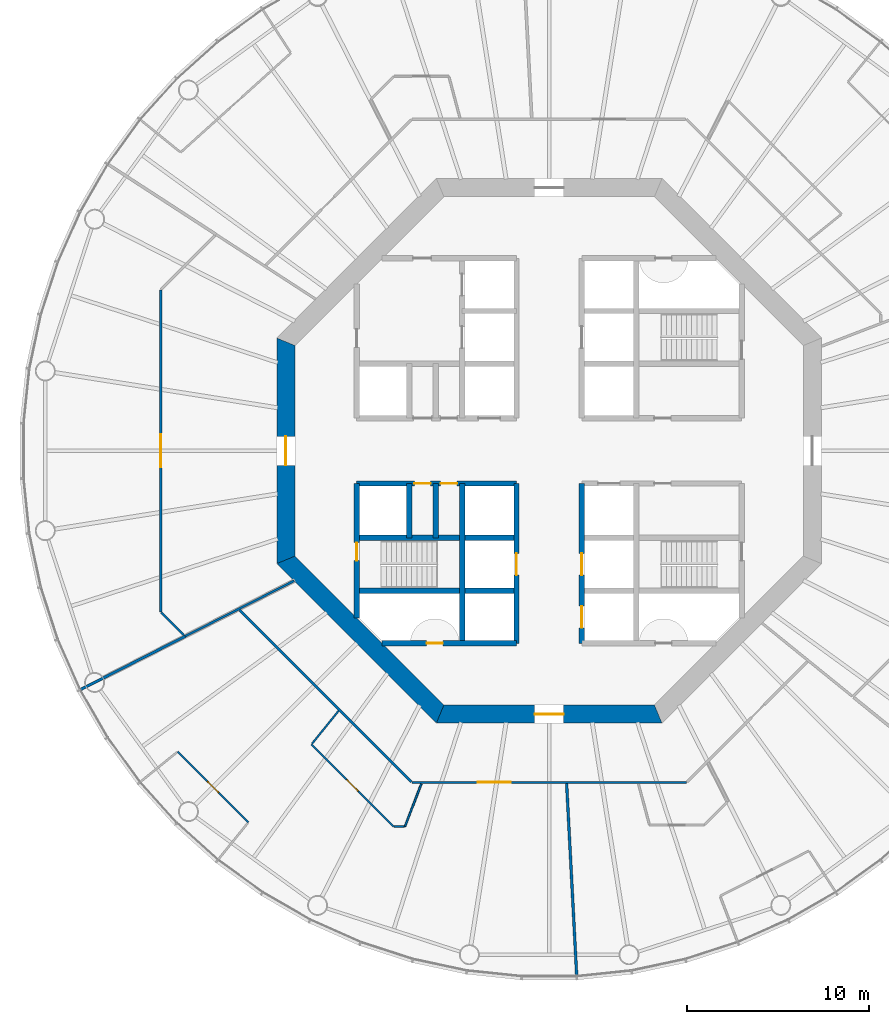
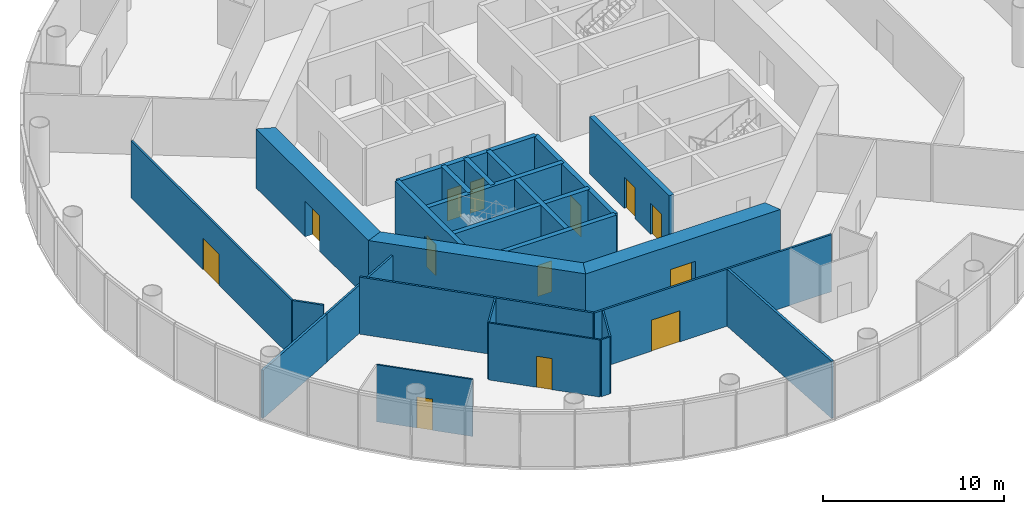
# One storey, part 3 of 13: 25 walls, 13 doors, 13 openings.
"""IFC4 building model written with IfcOpenShell, lengths in metres."""

from ifc_helpers import new_model, si_unit, direction, frame, frame_2d, origin, place, context, subcontext, project, spatial, polyline, rectangle, outline, extrude, material, layer, layer_set, type_object, element, fill, save


model = new_model("IFC4")

# Units and contexts
model_context = context("Model", 3, precision=1e-05, world=origin(), true_north=direction((0.0, 1.0)))
body_context = subcontext(model_context, "Body", "Model", "MODEL_VIEW")
ifc_project = project(units=[si_unit("LENGTHUNIT", "METRE"), si_unit("AREAUNIT", "SQUARE_METRE"), si_unit("VOLUMEUNIT", "CUBIC_METRE"), si_unit("PLANEANGLEUNIT", "RADIAN"), si_unit("MASSUNIT", "GRAM", prefix="KILO")], contexts=[model_context])

# Site, building, storey
site_placement = place(None, origin())
site = spatial("IfcSite", under=ifc_project, at=site_placement, CompositionType="ELEMENT")
building_placement = place(site_placement, origin())
building = spatial("IfcBuilding", under=site, at=building_placement, Name="Entoto Ring Tower", CompositionType="ELEMENT")
storey_placement = place(building_placement, frame((0.0, 0.0, 184.0)))
storey = spatial("IfcBuildingStorey", under=building, at=storey_placement, Name="L42", CompositionType="ELEMENT", Elevation=184.0)

# Wall, openings, doors
ifc_material_1 = material(Name="Concrete C40/50", Category="concrete")
ifc_layer_1 = layer(ifc_material_1, 0.300048828125)
ifc_layer_set_1 = layer_set([ifc_layer_1], Name="Concrete C40/50")
wall_type_1 = type_object("IfcWallType", Name="Core enclosure wall 300 mm reinforced concrete", PredefinedType="SOLIDWALL", material=ifc_layer_set_1)
wall_1_placement = place(storey_placement, frame((91.800048828125, 69.39990234375, 0.0), z_axis=(0.0, 0.0, 1.0), x_axis=(0.0, 1.0, 0.0)))
wall_1 = element("IfcWall", 1, at=wall_1_placement, inside=storey, type_object=wall_type_1, Name="wall-L42-005", PredefinedType="SOLIDWALL", context=body_context, shape_type="SweptSolid", body=[
    extrude(rectangle(XDim=8.800048828125, YDim=0.300048828125, at=frame_2d((4.39990234375, 0.0))), origin(), (0.0, 0.0, 1.0), 3.85009765625),
])
opening_1_placement = place(wall_1_placement, frame((3.75, 0.0, 0.0)))
opening_1 = element("IfcOpeningElement", 2, at=opening_1_placement, cuts=wall_1, Name="Opening LD", PredefinedType="OPENING", context=body_context, shape_type="SweptSolid", body=[
    extrude(rectangle(XDim=1.199951171875, YDim=2.10009765625, at=frame_2d((0.60009765625, 1.050048828125))), frame((0.0, 0.16015625, 0.0), z_axis=(0.0, -1.0, 0.0), x_axis=(1.0, 0.0, 0.0)), (0.0, 0.0, 1.0), 0.320068359375),
])
opening_2_placement = place(wall_1_placement, frame((0.85009765625, 0.0, 0.0)))
opening_2 = element("IfcOpeningElement", 3, at=opening_2_placement, cuts=wall_1, Name="Opening LD", PredefinedType="OPENING", context=body_context, shape_type="SweptSolid", body=[
    extrude(rectangle(XDim=1.199951171875, YDim=2.10009765625, at=frame_2d((0.60009765625, 1.050048828125))), frame((0.0, 0.16015625, 0.0), z_axis=(0.0, -1.0, 0.0), x_axis=(1.0, 0.0, 0.0)), (0.0, 0.0, 1.0), 0.320068359375),
])
ifc_material_2 = material(Name="Steel and glass door leaf", Category="steel")
ifc_layer_2 = layer(ifc_material_2, 0.050048828125)
ifc_layer_set_2 = layer_set([ifc_layer_2], Name="Steel and glass door leaf")
door_type_1 = type_object("IfcDoorType", Name="Landing door 1200 x 2100 sliding", OperationType="DOUBLE_DOOR_SLIDING", PredefinedType="DOOR", material=ifc_layer_set_2)
door_1_placement = place(opening_1_placement, origin())
door_1 = element("IfcDoor", 4, at=door_1_placement, inside=storey, type_object=door_type_1, Name="Landing door LB2-MR", OperationType="SLIDING_TO_RIGHT", OverallHeight=2.10009765625, OverallWidth=1.199951171875, PredefinedType="DOOR", context=body_context, shape_type="SweptSolid", body=[
    extrude(rectangle(XDim=1.199951171875, YDim=2.10009765625, at=frame_2d((0.60009765625, 1.050048828125))), frame((0.0, 0.02490234375, 0.0), z_axis=(0.0, -1.0, 0.0), x_axis=(1.0, 0.0, 0.0)), (0.0, 0.0, 1.0), 0.050048828125),
])
fill(opening_1, door_1)
door_2_placement = place(opening_2_placement, origin())
door_2 = element("IfcDoor", 5, at=door_2_placement, inside=storey, type_object=door_type_1, Name="Landing door LB3-MR", OperationType="SLIDING_TO_RIGHT", OverallHeight=2.10009765625, OverallWidth=1.199951171875, PredefinedType="DOOR", context=body_context, shape_type="SweptSolid", body=[
    extrude(rectangle(XDim=1.199951171875, YDim=2.10009765625, at=frame_2d((0.60009765625, 1.050048828125))), frame((0.0, 0.02490234375, 0.0), z_axis=(0.0, -1.0, 0.0), x_axis=(1.0, 0.0, 0.0)), (0.0, 0.0, 1.0), 0.050048828125),
])
fill(opening_2, door_2)

# Wall, opening, door
wall_2_placement = place(storey_placement, frame((88.199951171875, 69.39990234375, 0.0), z_axis=(0.0, 0.0, 1.0), x_axis=(0.0, 1.0, 0.0)))
wall_2 = element("IfcWall", 6, at=wall_2_placement, inside=storey, type_object=wall_type_1, Name="wall-L42-007", PredefinedType="SOLIDWALL", context=body_context, shape_type="SweptSolid", body=[
    extrude(rectangle(XDim=8.800048828125, YDim=0.300048828125, at=frame_2d((4.39990234375, 0.0))), origin(), (0.0, 0.0, 1.0), 3.85009765625),
])
opening_3_placement = place(wall_2_placement, frame((3.75, 0.0, 0.0)))
opening_3 = element("IfcOpeningElement", 7, at=opening_3_placement, cuts=wall_2, Name="Opening LD", PredefinedType="OPENING", context=body_context, shape_type="SweptSolid", body=[
    extrude(rectangle(XDim=1.199951171875, YDim=2.10009765625, at=frame_2d((0.60009765625, 1.050048828125))), frame((0.0, 0.16015625, 0.0), z_axis=(0.0, -1.0, 0.0), x_axis=(1.0, 0.0, 0.0)), (0.0, 0.0, 1.0), 0.320068359375),
])
door_3_placement = place(opening_3_placement, origin())
door_3 = element("IfcDoor", 8, at=door_3_placement, inside=storey, type_object=door_type_1, Name="Landing door LB4-MR", OperationType="SLIDING_TO_RIGHT", OverallHeight=2.10009765625, OverallWidth=1.199951171875, PredefinedType="DOOR", context=body_context, shape_type="SweptSolid", body=[
    extrude(rectangle(XDim=1.199951171875, YDim=2.10009765625, at=frame_2d((0.60009765625, 1.050048828125))), frame((0.0, 0.02490234375, 0.0), z_axis=(0.0, -1.0, 0.0), x_axis=(1.0, 0.0, 0.0)), (0.0, 0.0, 1.0), 0.050048828125),
])
fill(opening_3, door_3)

# Walls
wall_3_placement = place(storey_placement, frame((85.199951171875, 69.39990234375, 0.0), z_axis=(0.0, 0.0, 1.0), x_axis=(0.0, 1.0, 0.0)))
element("IfcWall", 9, at=wall_3_placement, inside=storey, type_object=wall_type_1, Name="wall-L42-009", PredefinedType="SOLIDWALL", context=body_context, shape_type="SweptSolid", body=[
    extrude(rectangle(XDim=8.800048828125, YDim=0.300048828125, at=frame_2d((4.39990234375, 0.0))), origin(), (0.0, 0.0, 1.0), 3.85009765625),
])
for number, where, z_axis, x_axis, name in (
    (10, (83.75, 75.199951171875, 0.0), (0.0, 0.0, 1.0), (0.0, 1.0, 0.0), "wall-L42-011"),
    (11, (82.300048828125, 75.199951171875, 0.0), (0.0, 0.0, 1.0), (0.0, 1.0, 0.0), "wall-L42-013"),
):
    element("IfcWall", number, at=place(storey_placement, frame(where, z_axis=z_axis, x_axis=x_axis)), inside=storey, type_object=wall_type_1, Name=name, PredefinedType="SOLIDWALL", context=body_context, shape_type="SweptSolid", body=[
        extrude(rectangle(XDim=3.0, YDim=0.300048828125, at=frame_2d((1.5, 0.0))), origin(), (0.0, 0.0, 1.0), 3.85009765625),
    ])

# Wall, opening, door
wall_4_placement = place(storey_placement, frame((79.39990234375, 70.801025390625, 0.0), z_axis=(0.0, 0.0, 1.0), x_axis=(0.0, 1.0, 0.0)))
wall_4 = element("IfcWall", 12, at=wall_4_placement, inside=storey, type_object=wall_type_1, Name="wall-L42-015", PredefinedType="SOLIDWALL", context=body_context, shape_type="SweptSolid", body=[
    extrude(rectangle(XDim=7.39892578125, YDim=0.300048828125, at=frame_2d((3.699462890625, 0.0))), origin(), (0.0, 0.0, 1.0), 3.85009765625),
])
opening_4_placement = place(wall_4_placement, frame((3.14892578125, 0.0, 0.0)))
opening_4 = element("IfcOpeningElement", 13, at=opening_4_placement, cuts=wall_4, Name="Opening K-59", PredefinedType="OPENING", context=body_context, shape_type="SweptSolid", body=[
    extrude(rectangle(XDim=1.0, YDim=2.10009765625, at=frame_2d((0.5, 1.050048828125))), frame((0.0, 0.16015625, 0.0), z_axis=(0.0, -1.0, 0.0), x_axis=(1.0, 0.0, 0.0)), (0.0, 0.0, 1.0), 0.320068359375),
])
ifc_material_3 = material(Name="Steel door leaf, fire rated", Category="steel")
ifc_layer_3 = layer(ifc_material_3, 0.050048828125)
ifc_layer_set_3 = layer_set([ifc_layer_3], Name="Steel door leaf, fire rated")
door_type_2 = type_object("IfcDoorType", Name="Fire door FD60 1000 x 2100 single leaf", OperationType="NOTDEFINED", PredefinedType="DOOR", material=ifc_layer_set_3)
door_4_placement = place(opening_4_placement, frame((1.0, 0.0, 0.0), z_axis=(0.0, 0.0, 1.0), x_axis=(-1.0, 0.0, 0.0)))
door_4 = element("IfcDoor", 14, at=door_4_placement, inside=storey, type_object=door_type_2, Name="Door K-59", OperationType="SINGLE_SWING_LEFT", OverallHeight=2.10009765625, OverallWidth=1.0, PredefinedType="DOOR", context=body_context, shape_type="SweptSolid", body=[
    extrude(rectangle(XDim=1.0, YDim=2.10009765625, at=frame_2d((0.5, 1.050048828125))), frame((0.0, 0.02490234375, 0.0), z_axis=(0.0, -1.0, 0.0), x_axis=(1.0, 0.0, 0.0)), (0.0, 0.0, 1.0), 0.050048828125),
])
fill(opening_4, door_4)

wall_5_placement = place(storey_placement, frame((80.801025390625, 69.39990234375, 0.0), z_axis=(0.0, 0.0, 1.0), x_axis=(1.0, 0.0, 0.0)))
wall_5 = element("IfcWall", 15, at=wall_5_placement, inside=storey, type_object=wall_type_1, Name="wall-L42-017", PredefinedType="SOLIDWALL", context=body_context, shape_type="SweptSolid", body=[
    extrude(rectangle(XDim=7.39892578125, YDim=0.300048828125, at=frame_2d((3.699462890625, 0.0))), origin(), (0.0, 0.0, 1.0), 3.85009765625),
])
opening_5_placement = place(wall_5_placement, frame((2.448974609375, 0.0, 0.0)))
opening_5 = element("IfcOpeningElement", 16, at=opening_5_placement, cuts=wall_5, Name="Opening K-66", PredefinedType="OPENING", context=body_context, shape_type="SweptSolid", body=[
    extrude(rectangle(XDim=0.89990234375, YDim=2.10009765625, at=frame_2d((0.449951171875, 1.050048828125))), frame((0.0, 0.16015625, 0.0), z_axis=(0.0, -1.0, 0.0), x_axis=(1.0, 0.0, 0.0)), (0.0, 0.0, 1.0), 0.320068359375),
])
ifc_material_4 = material(Name="Steel door leaf, fire rated", Category="steel")
ifc_layer_4 = layer(ifc_material_4, 0.050048828125)
ifc_layer_set_4 = layer_set([ifc_layer_4], Name="Steel door leaf, fire rated")
door_type_3 = type_object("IfcDoorType", Name="Riser door FD60 900 x 2100 single leaf", OperationType="NOTDEFINED", PredefinedType="DOOR", material=ifc_layer_set_4)
door_5_placement = place(opening_5_placement, origin())
door_5 = element("IfcDoor", 17, at=door_5_placement, inside=storey, type_object=door_type_3, Name="Door K-66", OperationType="SINGLE_SWING_RIGHT", OverallHeight=2.10009765625, OverallWidth=0.89990234375, PredefinedType="DOOR", context=body_context, shape_type="SweptSolid", body=[
    extrude(rectangle(XDim=0.89990234375, YDim=2.10009765625, at=frame_2d((0.449951171875, 1.050048828125))), frame((0.0, 0.02490234375, 0.0), z_axis=(0.0, -1.0, 0.0), x_axis=(1.0, 0.0, 0.0)), (0.0, 0.0, 1.0), 0.050048828125),
])
fill(opening_5, door_5)

# Walls
for number, where, z_axis, x_axis, name in (
    (18, (79.39990234375, 72.300048828125, 0.0), (0.0, 0.0, 1.0), (1.0, 0.0, 0.0), "wall-L42-019"),
    (19, (79.39990234375, 75.199951171875, 0.0), (0.0, 0.0, 1.0), (1.0, 0.0, 0.0), "wall-L42-021"),
):
    element("IfcWall", number, at=place(storey_placement, frame(where, z_axis=z_axis, x_axis=x_axis)), inside=storey, type_object=wall_type_1, Name=name, PredefinedType="SOLIDWALL", context=body_context, shape_type="SweptSolid", body=[
        extrude(rectangle(XDim=8.800048828125, YDim=0.300048828125, at=frame_2d((4.39990234375, 0.0))), origin(), (0.0, 0.0, 1.0), 3.85009765625),
    ])

# Wall, openings, doors
wall_6_placement = place(storey_placement, frame((79.39990234375, 78.199951171875, 0.0), z_axis=(0.0, 0.0, 1.0), x_axis=(1.0, 0.0, 0.0)))
wall_6 = element("IfcWall", 20, at=wall_6_placement, inside=storey, type_object=wall_type_1, Name="wall-L42-023", PredefinedType="SOLIDWALL", context=body_context, shape_type="SweptSolid", body=[
    extrude(rectangle(XDim=8.800048828125, YDim=0.300048828125, at=frame_2d((4.39990234375, 0.0))), origin(), (0.0, 0.0, 1.0), 3.85009765625),
])
opening_6_placement = place(wall_6_placement, frame((3.175048828125, 0.0, 0.0)))
opening_6 = element("IfcOpeningElement", 21, at=opening_6_placement, cuts=wall_6, Name="Opening K-15", PredefinedType="OPENING", context=body_context, shape_type="SweptSolid", body=[
    extrude(rectangle(XDim=0.89990234375, YDim=2.10009765625, at=frame_2d((0.449951171875, 1.050048828125))), frame((0.0, 0.16015625, 0.0), z_axis=(0.0, -1.0, 0.0), x_axis=(1.0, 0.0, 0.0)), (0.0, 0.0, 1.0), 0.320068359375),
])
opening_7_placement = place(wall_6_placement, frame((4.625, 0.0, 0.0)))
opening_7 = element("IfcOpeningElement", 22, at=opening_7_placement, cuts=wall_6, Name="Opening K-16", PredefinedType="OPENING", context=body_context, shape_type="SweptSolid", body=[
    extrude(rectangle(XDim=0.89990234375, YDim=2.10009765625, at=frame_2d((0.449951171875, 1.050048828125))), frame((0.0, 0.16015625, 0.0), z_axis=(0.0, -1.0, 0.0), x_axis=(1.0, 0.0, 0.0)), (0.0, 0.0, 1.0), 0.320068359375),
])
ifc_material_5 = material(Name="Steel door leaf, fire rated", Category="steel")
ifc_layer_5 = layer(ifc_material_5, 0.050048828125)
ifc_layer_set_5 = layer_set([ifc_layer_5], Name="Steel door leaf, fire rated")
door_type_4 = type_object("IfcDoorType", Name="Core door 900 x 2100 single leaf", OperationType="NOTDEFINED", PredefinedType="DOOR", material=ifc_layer_set_5)
door_6_placement = place(opening_6_placement, frame((0.89990234375, 0.0, 0.0), z_axis=(0.0, 0.0, 1.0), x_axis=(-1.0, 0.0, 0.0)))
door_6 = element("IfcDoor", 23, at=door_6_placement, inside=storey, type_object=door_type_4, Name="Door K-15", OperationType="SINGLE_SWING_LEFT", OverallHeight=2.10009765625, OverallWidth=0.89990234375, PredefinedType="DOOR", context=body_context, shape_type="SweptSolid", body=[
    extrude(rectangle(XDim=0.89990234375, YDim=2.10009765625, at=frame_2d((0.449951171875, 1.050048828125))), frame((0.0, 0.02490234375, 0.0), z_axis=(0.0, -1.0, 0.0), x_axis=(1.0, 0.0, 0.0)), (0.0, 0.0, 1.0), 0.050048828125),
])
fill(opening_6, door_6)
door_7_placement = place(opening_7_placement, frame((0.89990234375, 0.0, 0.0), z_axis=(0.0, 0.0, 1.0), x_axis=(-1.0, 0.0, 0.0)))
door_7 = element("IfcDoor", 24, at=door_7_placement, inside=storey, type_object=door_type_4, Name="Door K-16", OperationType="SINGLE_SWING_LEFT", OverallHeight=2.10009765625, OverallWidth=0.89990234375, PredefinedType="DOOR", context=body_context, shape_type="SweptSolid", body=[
    extrude(rectangle(XDim=0.89990234375, YDim=2.10009765625, at=frame_2d((0.449951171875, 1.050048828125))), frame((0.0, 0.02490234375, 0.0), z_axis=(0.0, -1.0, 0.0), x_axis=(1.0, 0.0, 0.0)), (0.0, 0.0, 1.0), 0.050048828125),
])
fill(opening_7, door_7)

# Wall, opening, door
ifc_material_6 = material(Name="Concrete C50/60", Category="concrete")
ifc_layer_6 = layer(ifc_material_6, 1.0)
ifc_layer_set_6 = layer_set([ifc_layer_6], Name="Concrete C50/60")
wall_type_2 = type_object("IfcWallType", Name="Core shear wall 1000 mm reinforced concrete C50/60", PredefinedType="SHEAR", material=ifc_layer_set_6)
wall_7_placement = place(storey_placement, frame((75.5, 86.006103515625, 0.0), z_axis=(0.0, 0.0, 1.0), x_axis=(0.0, -1.0, 0.0)))
wall_7 = element("IfcWall", 25, at=wall_7_placement, inside=storey, type_object=wall_type_2, Name="wall-L42-core-4", PredefinedType="SHEAR", context=body_context, shape_type="SweptSolid", body=[
    extrude(outline(polyline([(-0.20703125, -0.5), (12.21923828125, -0.5), (11.80517578125, 0.5), (0.20703125, 0.5), (-0.20703125, -0.5)])), origin(), (0.0, 0.0, 1.0), 4.0),
])
opening_8_placement = place(wall_7_placement, frame((5.2060546875, 0.0, 0.0)))
opening_8 = element("IfcOpeningElement", 26, at=opening_8_placement, cuts=wall_7, Name="Opening K-03", PredefinedType="OPENING", context=body_context, shape_type="SweptSolid", body=[
    extrude(rectangle(XDim=1.60009765625, YDim=2.39990234375, at=frame_2d((0.800048828125, 1.199951171875))), frame((0.0, 0.510009765625, 0.0), z_axis=(0.0, -1.0, 0.0), x_axis=(1.0, 0.0, 0.0)), (0.0, 0.0, 1.0), 1.02001953125),
])
ifc_material_7 = material(Name="Steel door leaf, fire rated", Category="steel")
ifc_layer_7 = layer(ifc_material_7, 0.050048828125)
ifc_layer_set_7 = layer_set([ifc_layer_7], Name="Steel door leaf, fire rated")
door_type_5 = type_object("IfcDoorType", Name="Entrance door FD60 1600 x 2400 double leaf", OperationType="DOUBLE_DOOR_SINGLE_SWING", PredefinedType="DOOR", material=ifc_layer_set_7)
door_8_placement = place(opening_8_placement, origin())
door_8 = element("IfcDoor", 27, at=door_8_placement, inside=storey, type_object=door_type_5, Name="Entrance door K-03", OperationType="DOUBLE_DOOR_SINGLE_SWING", OverallHeight=2.39990234375, OverallWidth=1.60009765625, PredefinedType="DOOR", context=body_context, shape_type="SweptSolid", body=[
    extrude(rectangle(XDim=1.60009765625, YDim=2.39990234375, at=frame_2d((0.800048828125, 1.199951171875))), frame((0.0, 0.02490234375, 0.0), z_axis=(0.0, -1.0, 0.0), x_axis=(1.0, 0.0, 0.0)), (0.0, 0.0, 1.0), 0.050048828125),
])
fill(opening_8, door_8)

# Wall
wall_8_placement = place(storey_placement, frame((75.5, 73.993896484375, 0.0), z_axis=(0.0, 0.0, 1.0), x_axis=(0.707106781187, -0.707106781187, 0.0)))
element("IfcWall", 28, at=wall_8_placement, inside=storey, type_object=wall_type_2, Name="wall-L42-core-5", PredefinedType="SHEAR", context=body_context, shape_type="SweptSolid", body=[
    extrude(outline(polyline([(-0.20703125, -0.5), (12.21923828125, -0.5), (11.80517578125, 0.5), (0.20703125, 0.5), (-0.20703125, -0.5)])), origin(), (0.0, 0.0, 1.0), 4.0),
])

# Wall, opening, door
wall_9_placement = place(storey_placement, frame((83.993896484375, 65.5, 0.0), z_axis=(0.0, 0.0, 1.0), x_axis=(1.0, 0.0, 0.0)))
wall_9 = element("IfcWall", 29, at=wall_9_placement, inside=storey, type_object=wall_type_2, Name="wall-L42-core-6", PredefinedType="SHEAR", context=body_context, shape_type="SweptSolid", body=[
    extrude(outline(polyline([(-0.20703125, -0.5), (12.21923828125, -0.5), (11.80517578125, 0.5), (0.20703125, 0.5), (-0.20703125, -0.5)])), origin(), (0.0, 0.0, 1.0), 4.0),
])
opening_9_placement = place(wall_9_placement, frame((5.2060546875, 0.0, 0.0)))
opening_9 = element("IfcOpeningElement", 30, at=opening_9_placement, cuts=wall_9, Name="Opening K-04", PredefinedType="OPENING", context=body_context, shape_type="SweptSolid", body=[
    extrude(rectangle(XDim=1.60009765625, YDim=2.39990234375, at=frame_2d((0.800048828125, 1.199951171875))), frame((0.0, 0.510009765625, 0.0), z_axis=(0.0, -1.0, 0.0), x_axis=(1.0, 0.0, 0.0)), (0.0, 0.0, 1.0), 1.02001953125),
])
door_9_placement = place(opening_9_placement, origin())
door_9 = element("IfcDoor", 31, at=door_9_placement, inside=storey, type_object=door_type_5, Name="Entrance door K-04", OperationType="DOUBLE_DOOR_SINGLE_SWING", OverallHeight=2.39990234375, OverallWidth=1.60009765625, PredefinedType="DOOR", context=body_context, shape_type="SweptSolid", body=[
    extrude(rectangle(XDim=1.60009765625, YDim=2.39990234375, at=frame_2d((0.800048828125, 1.199951171875))), frame((0.0, 0.02490234375, 0.0), z_axis=(0.0, -1.0, 0.0), x_axis=(1.0, 0.0, 0.0)), (0.0, 0.0, 1.0), 0.050048828125),
])
fill(opening_9, door_9)

ifc_material_8 = material(Name="Fire-resisting plasterboard on steel studs", Category="steel")
ifc_layer_8 = layer(ifc_material_8, 0.125)
ifc_layer_set_8 = layer_set([ifc_layer_8], Name="Fire-resisting plasterboard on steel studs")
wall_type_3 = type_object("IfcWallType", Name="Corridor wall 125 mm one-hour plasterboard on steel studs", PredefinedType="PARTITIONING", material=ifc_layer_set_8)
wall_10_placement = place(storey_placement, frame((68.60009765625, 71.1357421875, 0.0), z_axis=(0.0, 0.0, 1.0), x_axis=(0.0, 1.0, 0.0)))
wall_10 = element("IfcWall", 32, at=wall_10_placement, inside=storey, type_object=wall_type_3, Name="partition-L42-001", PredefinedType="PARTITIONING", context=body_context, shape_type="SweptSolid", body=[
    extrude(rectangle(XDim=17.728515625, YDim=0.125, at=frame_2d((8.8642578125, 0.0))), origin(), (0.0, 0.0, 1.0), 3.85009765625),
])
opening_10_placement = place(wall_10_placement, frame((7.964111328125, 0.0, 0.0)))
opening_10 = element("IfcOpeningElement", 33, at=opening_10_placement, cuts=wall_10, Name="Opening A18-D02", PredefinedType="OPENING", context=body_context, shape_type="SweptSolid", body=[
    extrude(rectangle(XDim=1.800048828125, YDim=2.10009765625, at=frame_2d((0.89990234375, 1.050048828125))), frame((0.0, 0.072509765625, 0.0), z_axis=(0.0, -1.0, 0.0), x_axis=(1.0, 0.0, 0.0)), (0.0, 0.0, 1.0), 0.14501953125),
])
ifc_material_9 = material(Name="Fire-resisting timber door set", Category="wood")
door_type_6 = type_object("IfcDoorType", Name="Door 1800 x 2100 double leaf FD30S fire door", OperationType="DOUBLE_DOOR_SINGLE_SWING", PredefinedType="DOOR", material=ifc_material_9)
door_10_placement = place(opening_10_placement, origin())
door_10 = element("IfcDoor", 34, at=door_10_placement, inside=storey, type_object=door_type_6, Name="Door A18-D02", OperationType="DOUBLE_DOOR_SINGLE_SWING", OverallHeight=2.10009765625, OverallWidth=1.800048828125, PredefinedType="DOOR", context=body_context, shape_type="SweptSolid", body=[
    extrude(rectangle(XDim=1.800048828125, YDim=2.10009765625, at=frame_2d((0.89990234375, 1.050048828125))), frame((0.0, 0.02490234375, 0.0), z_axis=(0.0, -1.0, 0.0), x_axis=(1.0, 0.0, 0.0)), (0.0, 0.0, 1.0), 0.050048828125),
])
fill(opening_10, door_10)

wall_11_placement = place(storey_placement, frame((82.435302734375, 61.737548828125, 0.0), z_axis=(0.0, 0.0, 1.0), x_axis=(1.0, 0.0, 0.0)))
wall_11 = element("IfcWall", 35, at=wall_11_placement, inside=storey, type_object=wall_type_3, Name="partition-L42-004", PredefinedType="PARTITIONING", context=body_context, shape_type="SweptSolid", body=[
    extrude(rectangle(XDim=15.12939453125, YDim=0.125, at=frame_2d((7.564697265625, 0.0))), origin(), (0.0, 0.0, 1.0), 3.85009765625),
])
opening_11_placement = place(wall_11_placement, frame((3.637939453125, 0.0, 0.0)))
opening_11 = element("IfcOpeningElement", 36, at=opening_11_placement, cuts=wall_11, Name="Opening A18-D09", PredefinedType="OPENING", context=body_context, shape_type="SweptSolid", body=[
    extrude(rectangle(XDim=1.800048828125, YDim=2.10009765625, at=frame_2d((0.89990234375, 1.050048828125))), frame((0.0, 0.072509765625, 0.0), z_axis=(0.0, -1.0, 0.0), x_axis=(1.0, 0.0, 0.0)), (0.0, 0.0, 1.0), 0.14501953125),
])
door_11_placement = place(opening_11_placement, frame((1.800048828125, 0.0, 0.0), z_axis=(0.0, 0.0, 1.0), x_axis=(-1.0, 0.0, 0.0)))
door_11 = element("IfcDoor", 37, at=door_11_placement, inside=storey, type_object=door_type_6, Name="Door A18-D09", OperationType="DOUBLE_DOOR_SINGLE_SWING", OverallHeight=2.10009765625, OverallWidth=1.800048828125, PredefinedType="DOOR", context=body_context, shape_type="SweptSolid", body=[
    extrude(rectangle(XDim=1.800048828125, YDim=2.10009765625, at=frame_2d((0.89990234375, 1.050048828125))), frame((0.0, 0.02490234375, 0.0), z_axis=(0.0, -1.0, 0.0), x_axis=(1.0, 0.0, 0.0)), (0.0, 0.0, 1.0), 0.050048828125),
])
fill(opening_11, door_11)

# Walls
wall_12_placement = place(storey_placement, frame((82.404296875, 61.7685546875, 0.0), z_axis=(0.0, 0.0, 1.0), x_axis=(-0.707097649982, 0.707115912273, 0.0)))
element("IfcWall", 38, at=wall_12_placement, inside=storey, type_object=wall_type_3, Name="partition-L42-006", PredefinedType="PARTITIONING", context=body_context, shape_type="SweptSolid", body=[
    extrude(rectangle(XDim=13.36865234375, YDim=0.125, at=frame_2d((6.684326171875, 0.0))), origin(), (0.0, 0.0, 1.0), 3.85009765625),
])
wall_13_placement = place(storey_placement, frame((69.881103515625, 69.8544921875, 0.0), z_axis=(0.0, 0.0, 1.0), x_axis=(-0.707037731162, 0.707175824469, 0.0)))
element("IfcWall", 39, at=wall_13_placement, inside=storey, type_object=wall_type_3, Name="partition-L42-015", PredefinedType="PARTITIONING", context=body_context, shape_type="SweptSolid", body=[
    extrude(rectangle(XDim=1.767822265625, YDim=0.125, at=frame_2d((0.8837890625, 0.0))), origin(), (0.0, 0.0, 1.0), 3.85009765625),
])
ifc_material_10 = material(Name="Fire-resisting plasterboard on steel studs", Category="steel")
ifc_layer_9 = layer(ifc_material_10, 0.125)
ifc_layer_set_9 = layer_set([ifc_layer_9], Name="Fire-resisting plasterboard on steel studs")
wall_type_4 = type_object("IfcWallType", Name="Corridor wall 125 mm one-hour plasterboard on steel studs, 3250 mm high", PredefinedType="PARTITIONING", material=ifc_layer_set_9)
wall_14_placement = place(storey_placement, frame((69.951171875, 69.78466796875, 0.0), z_axis=(0.0, 0.0, 1.0), x_axis=(0.891012915606, 0.453977955657, 0.0)))
element("IfcWall", 40, at=wall_14_placement, inside=storey, type_object=wall_type_4, Name="partition-L42-010", PredefinedType="PARTITIONING", context=body_context, shape_type="SweptSolid", body=[
    extrude(rectangle(XDim=6.729248046875, YDim=0.125, at=frame_2d((3.36474609375, 0.0))), origin(), (0.0, 0.0, 1.0), 3.25),
])

# Wall, opening, door
ifc_material_11 = material(Name="Plasterboard on steel studs", Category="steel")
ifc_layer_10 = layer(ifc_material_11, 0.10009765625)
ifc_layer_set_10 = layer_set([ifc_layer_10], Name="Plasterboard on steel studs")
wall_type_5 = type_object("IfcWallType", Name="Partition 100 mm plasterboard on steel studs", PredefinedType="PARTITIONING", material=ifc_layer_set_10)
wall_15_placement = place(storey_placement, frame((81.428955078125, 59.3076171875, 0.0), z_axis=(0.0, 0.0, 1.0), x_axis=(-0.707125865617, 0.707087696241, 0.0)))
wall_15 = element("IfcWall", 41, at=wall_15_placement, inside=storey, type_object=wall_type_5, Name="partition-L42-025", PredefinedType="PARTITIONING", context=body_context, shape_type="SweptSolid", body=[
    extrude(rectangle(XDim=6.396240234375, YDim=0.10009765625, at=frame_2d((3.1982421875, 0.0))), origin(), (0.0, 0.0, 1.0), 3.85009765625),
])
opening_12_placement = place(wall_15_placement, frame((2.748046875, 0.0, 0.0)))
opening_12 = element("IfcOpeningElement", 42, at=opening_12_placement, cuts=wall_15, Name="Opening A18-D10", PredefinedType="OPENING", context=body_context, shape_type="SweptSolid", body=[
    extrude(rectangle(XDim=0.89990234375, YDim=2.10009765625, at=frame_2d((0.449951171875, 1.050048828125))), frame((0.0, 0.06005859375, 0.0), z_axis=(0.0, -1.0, 0.0), x_axis=(1.0, 0.0, 0.0)), (0.0, 0.0, 1.0), 0.1201171875),
])
ifc_material_12 = material(Name="Veneered timber door leaf in timber frame", Category="wood")
door_type_7 = type_object("IfcDoorType", Name="Door 900 x 2100 single leaf timber veneer", OperationType="NOTDEFINED", PredefinedType="DOOR", material=ifc_material_12)
door_12_placement = place(opening_12_placement, frame((0.89990234375, 0.0, 0.0), z_axis=(0.0, 0.0, 1.0), x_axis=(-1.0, 0.0, 0.0)))
door_12 = element("IfcDoor", 43, at=door_12_placement, inside=storey, type_object=door_type_7, Name="Door A18-D10", OperationType="SINGLE_SWING_LEFT", OverallHeight=2.10009765625, OverallWidth=0.89990234375, PredefinedType="DOOR", context=body_context, shape_type="SweptSolid", body=[
    extrude(rectangle(XDim=0.89990234375, YDim=2.10009765625, at=frame_2d((0.449951171875, 1.050048828125))), frame((0.0, 0.02490234375, 0.0), z_axis=(0.0, -1.0, 0.0), x_axis=(1.0, 0.0, 0.0)), (0.0, 0.0, 1.0), 0.050048828125),
])
fill(opening_12, door_12)

wall_16_placement = place(storey_placement, frame((73.429931640625, 59.53759765625, 0.0), z_axis=(0.0, 0.0, 1.0), x_axis=(-0.707106781187, 0.707106781187, 0.0)))
wall_16 = element("IfcWall", 44, at=wall_16_placement, inside=storey, type_object=wall_type_5, Name="partition-L42-026", PredefinedType="PARTITIONING", context=body_context, shape_type="SweptSolid", body=[
    extrude(rectangle(XDim=5.504638671875, YDim=0.10009765625, at=frame_2d((2.75244140625, 0.0))), origin(), (0.0, 0.0, 1.0), 3.85009765625),
])
opening_13_placement = place(wall_16_placement, frame((2.30224609375, 0.0, 0.0)))
opening_13 = element("IfcOpeningElement", 45, at=opening_13_placement, cuts=wall_16, Name="Opening A18-D11", PredefinedType="OPENING", context=body_context, shape_type="SweptSolid", body=[
    extrude(rectangle(XDim=0.89990234375, YDim=2.10009765625, at=frame_2d((0.449951171875, 1.050048828125))), frame((0.0, 0.06005859375, 0.0), z_axis=(0.0, -1.0, 0.0), x_axis=(1.0, 0.0, 0.0)), (0.0, 0.0, 1.0), 0.1201171875),
])
door_13_placement = place(opening_13_placement, origin())
door_13 = element("IfcDoor", 46, at=door_13_placement, inside=storey, type_object=door_type_7, Name="Door A18-D11", OperationType="SINGLE_SWING_LEFT", OverallHeight=2.10009765625, OverallWidth=0.89990234375, PredefinedType="DOOR", context=body_context, shape_type="SweptSolid", body=[
    extrude(rectangle(XDim=0.89990234375, YDim=2.10009765625, at=frame_2d((0.449951171875, 1.050048828125))), frame((0.0, 0.02490234375, 0.0), z_axis=(0.0, -1.0, 0.0), x_axis=(1.0, 0.0, 0.0)), (0.0, 0.0, 1.0), 0.050048828125),
])
fill(opening_13, door_13)

# Walls
wall_17_placement = place(storey_placement, frame((82.056884765625, 59.3076171875, 0.0), z_axis=(0.0, 0.0, 1.0), x_axis=(0.358426498684, 0.933557949482, 0.0)))
element("IfcWall", 47, at=wall_17_placement, inside=storey, type_object=wall_type_5, Name="partition-L42-039", PredefinedType="PARTITIONING", context=body_context, shape_type="SweptSolid", body=[
    extrude(rectangle(XDim=2.516845703125, YDim=0.10009765625, at=frame_2d((1.25830078125, 0.0))), origin(), (0.0, 0.0, 1.0), 3.85009765625),
])
wall_18_placement = place(storey_placement, frame((76.937255859375, 63.868896484375, 0.0), z_axis=(0.0, 0.0, 1.0), x_axis=(0.629331093199, 0.777137294905, 0.0)))
element("IfcWall", 48, at=wall_18_placement, inside=storey, type_object=wall_type_5, Name="partition-L42-044", PredefinedType="PARTITIONING", context=body_context, shape_type="SweptSolid", body=[
    extrude(rectangle(XDim=2.32568359375, YDim=0.10009765625, at=frame_2d((1.162841796875, 0.0))), origin(), (0.0, 0.0, 1.0), 3.85009765625),
])
wall_19_placement = place(storey_placement, frame((81.464111328125, 59.3076171875, 0.0), z_axis=(0.0, 0.0, 1.0), x_axis=(1.0, 0.0, 0.0)))
element("IfcWall", 49, at=wall_19_placement, inside=storey, type_object=wall_type_5, Name="partition-L42-049", PredefinedType="PARTITIONING", context=body_context, shape_type="SweptSolid", body=[
    extrude(rectangle(XDim=0.54638671875, YDim=0.10009765625, at=frame_2d((0.273193359375, 0.0))), origin(), (0.0, 0.0, 1.0), 3.85009765625),
])
ifc_material_13 = material(Name="Fire-resisting acoustic plasterboard on steel studs", Category="steel")
ifc_layer_11 = layer(ifc_material_13, 0.14990234375)
ifc_layer_set_11 = layer_set([ifc_layer_11], Name="Fire-resisting acoustic plasterboard on steel studs")
wall_type_6 = type_object("IfcWallType", Name="Party wall 150 mm one-hour acoustic plasterboard on steel studs", PredefinedType="PARTITIONING", material=ifc_layer_set_11)
wall_20_placement = place(storey_placement, frame((91.5146484375, 51.099609375, 0.0), z_axis=(0.0, 0.0, 1.0), x_axis=(-0.052328843677, 0.998629907483, 0.0)))
element("IfcWall", 50, at=wall_20_placement, inside=storey, type_object=wall_type_6, Name="partition-L42-018", PredefinedType="PARTITIONING", context=body_context, shape_type="SweptSolid", body=[
    extrude(rectangle(XDim=10.5859375, YDim=0.14990234375, at=frame_2d((5.29296875, 0.0))), origin(), (0.0, 0.0, 1.0), 3.85009765625),
])
ifc_material_14 = material(Name="Fire-resisting acoustic plasterboard on steel studs", Category="steel")
ifc_layer_12 = layer(ifc_material_14, 0.14990234375)
ifc_layer_set_12 = layer_set([ifc_layer_12], Name="Fire-resisting acoustic plasterboard on steel studs")
wall_type_7 = type_object("IfcWallType", Name="Party wall 150 mm one-hour acoustic plasterboard on steel studs, 3250 mm high", PredefinedType="PARTITIONING", material=ifc_layer_set_12)
wall_21_placement = place(storey_placement, frame((64.21435546875, 66.861572265625, 0.0), z_axis=(0.0, 0.0, 1.0), x_axis=(0.891003901517, 0.453995646985, 0.0)))
element("IfcWall", 51, at=wall_21_placement, inside=storey, type_object=wall_type_7, Name="partition-L42-021", PredefinedType="PARTITIONING", context=body_context, shape_type="SweptSolid", body=[
    extrude(rectangle(XDim=6.4384765625, YDim=0.14990234375, at=frame_2d((3.21923828125, 0.0))), origin(), (0.0, 0.0, 1.0), 3.25),
])

save(model, "model.ifc")
